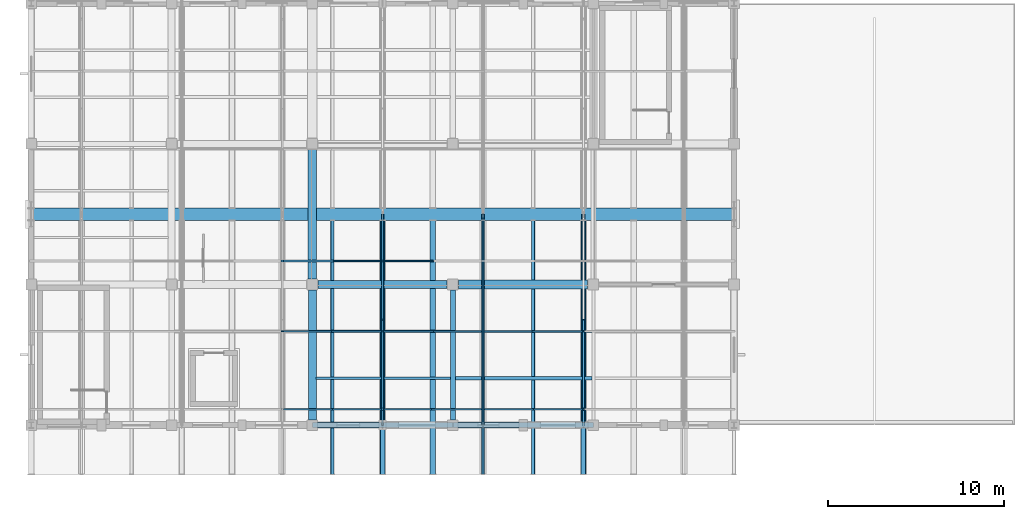
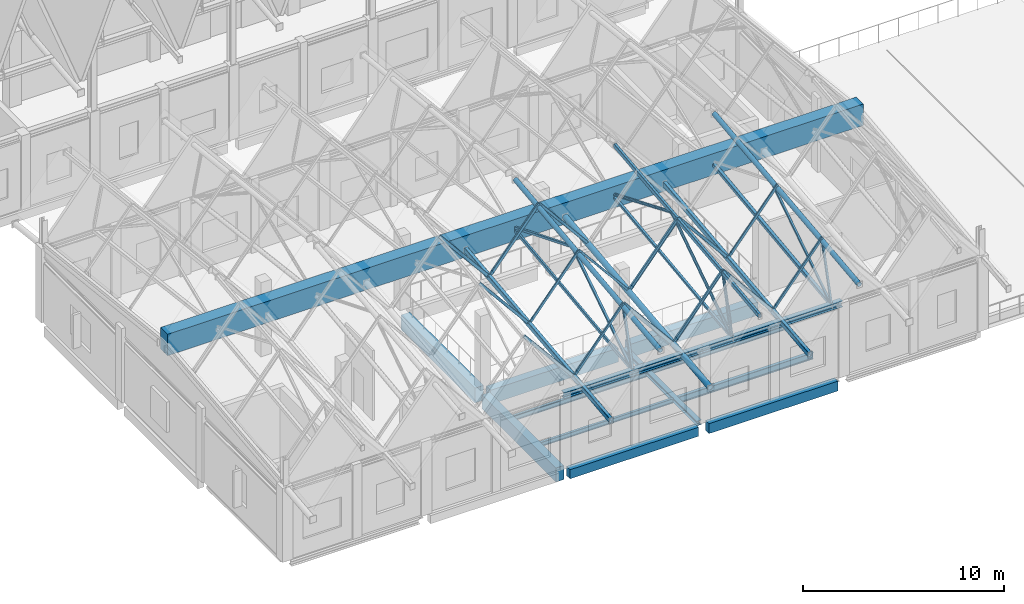
# One storey, part 10 of 77: 26 members, 20 beams.
"""IFC4 building model written with IfcOpenShell, lengths in metres."""

from ifc_helpers import new_model, si_unit, direction, frame, origin, origin_2d, place, context, subcontext, project, spatial, rectangle, hollow_rectangle, hollow_circle, i_section, extrude, material, material_profile, profile_set, type_object, element, save


model = new_model("IFC4")

# Units and contexts
model_context = context("Model", 3, precision=1e-05, world=origin(), true_north=direction((0.0, 1.0)))
body_context = subcontext(model_context, "Body", "Model", "MODEL_VIEW")
ifc_project = project(units=[si_unit("LENGTHUNIT", "METRE"), si_unit("AREAUNIT", "SQUARE_METRE"), si_unit("VOLUMEUNIT", "CUBIC_METRE"), si_unit("PLANEANGLEUNIT", "RADIAN"), si_unit("MASSUNIT", "GRAM", prefix="KILO")], contexts=[model_context])

# Site, building, storey
site_placement = place(None, origin())
site = spatial("IfcSite", under=ifc_project, at=site_placement, CompositionType="ELEMENT")
building_placement = place(site_placement, origin())
building = spatial("IfcBuilding", under=site, at=building_placement, Name="Luwemba Playhouse", CompositionType="ELEMENT")
storey_placement = place(building_placement, frame((0.0, 0.0, 9.300048828125)))
storey = spatial("IfcBuildingStorey", under=building, at=storey_placement, Name="L02", CompositionType="ELEMENT", Elevation=9.300048828125)

# Beams
ifc_material_1 = material(Name="Concrete C40/50", Category="concrete")
ifc_material_profile_1 = material_profile(ifc_material_1, rectangle(XDim=0.449951171875, YDim=0.85009765625, at=origin_2d()))
ifc_profile_set_1 = profile_set([ifc_material_profile_1], Name="Concrete C40/50")
beam_type_1 = type_object("IfcBeamType", Name="BM-RB05", PredefinedType="BEAM", material=ifc_profile_set_1)
beam_1_placement = place(storey_placement, frame((20.324951171875, 11.0, -0.675048828125), z_axis=(1.0, 0.0, 0.0), x_axis=(0.0, 1.0, 0.0)))
element("IfcBeam", 1, at=beam_1_placement, inside=storey, type_object=beam_type_1, Name="L02 grid girder 0766", PredefinedType="BEAM", context=body_context, shape_type="SweptSolid", body=[
    extrude(rectangle(XDim=0.449951171875, YDim=0.85009765625, at=origin_2d()), origin(), (0.0, 0.0, 1.0), 7.35009765625),
])
beam_2_placement = place(storey_placement, frame((20.0, 3.300048828125, -0.675048828125), z_axis=(0.0, 1.0, 0.0), x_axis=(-1.0, 0.0, 0.0)))
element("IfcBeam", 2, at=beam_2_placement, inside=storey, type_object=beam_type_1, Name="L02 transverse girder 0785", PredefinedType="BEAM", context=body_context, shape_type="SweptSolid", body=[
    extrude(rectangle(XDim=0.449951171875, YDim=0.85009765625, at=origin_2d()), origin(), (0.0, 0.0, 1.0), 7.375),
])
ifc_material_profile_2 = material_profile(ifc_material_1, rectangle(XDim=0.5, YDim=0.800048828125, at=origin_2d()))
ifc_profile_set_2 = profile_set([ifc_material_profile_2], Name="Concrete C40/50")
beam_type_2 = type_object("IfcBeamType", Name="BM-RB06", PredefinedType="BEAM", material=ifc_profile_set_2)
beam_3_placement = place(storey_placement, frame((28.324951171875, 11.0, -0.650146484375), z_axis=(1.0, 0.0, 0.0), x_axis=(0.0, 1.0, 0.0)))
element("IfcBeam", 3, at=beam_3_placement, inside=storey, type_object=beam_type_2, Name="L02 grid girder 0767", PredefinedType="BEAM", context=body_context, shape_type="SweptSolid", body=[
    extrude(rectangle(XDim=0.5, YDim=0.800048828125, at=origin_2d()), origin(), (0.0, 0.0, 1.0), 7.35009765625),
])
ifc_material_profile_3 = material_profile(ifc_material_1, rectangle(XDim=0.5, YDim=0.89990234375, at=origin_2d()))
ifc_profile_set_3 = profile_set([ifc_material_profile_3], Name="Concrete C40/50")
beam_type_3 = type_object("IfcBeamType", Name="BM-RB07", PredefinedType="BEAM", material=ifc_profile_set_3)
beam_4_placement = place(storey_placement, frame((20.0, 11.324951171875, -0.699951171875), z_axis=(0.0, 1.0, 0.0), x_axis=(-1.0, 0.0, 0.0)))
element("IfcBeam", 4, at=beam_4_placement, inside=storey, type_object=beam_type_3, Name="L02 transverse girder 0786", PredefinedType="BEAM", context=body_context, shape_type="SweptSolid", body=[
    extrude(rectangle(XDim=0.5, YDim=0.89990234375, at=origin_2d()), origin(), (0.0, 0.0, 1.0), 7.35009765625),
])
ifc_material_profile_4 = material_profile(ifc_material_1, rectangle(XDim=0.699951171875, YDim=1.300048828125, at=origin_2d()))
ifc_profile_set_4 = profile_set([ifc_material_profile_4], Name="Concrete C40/50")
beam_type_4 = type_object("IfcBeamType", Name="BM-RB12", PredefinedType="BEAM", material=ifc_profile_set_4)
beam_5_placement = place(storey_placement, frame((4.0, 15.0, 5.865966796875), z_axis=(1.0, 0.0, 0.0), x_axis=(0.0, 1.0, 0.0)))
element("IfcBeam", 5, at=beam_5_placement, inside=storey, type_object=beam_type_4, Name="RF-V5W central ridge spine girder 0260", PredefinedType="BEAM", context=body_context, shape_type="SweptSolid", body=[
    extrude(rectangle(XDim=0.699951171875, YDim=1.300048828125, at=origin_2d()), origin(), (0.0, 0.0, 1.0), 40.0),
])
ifc_material_2 = material(Name="Steel S355", Category="steel")
ifc_material_profile_5 = material_profile(ifc_material_2, hollow_rectangle(XDim=0.14990234375, YDim=0.25, WallThickness=0.010009765625, InnerFilletRadius=0.014892578125, OuterFilletRadius=0.02490234375, at=origin_2d()))
ifc_profile_set_5 = profile_set([ifc_material_profile_5], Name="Steel S355")
beam_type_5 = type_object("IfcBeamType", Name="BM-RTG1", PredefinedType="USERDEFINED", material=ifc_profile_set_5)
beam_6_placement = place(storey_placement, frame((29.71435546875, 0.199951171875, 7.391357421875), z_axis=(0.0, 0.993769566516, 0.111454244725), x_axis=(-1.0, 0.0, 0.0)))
element("IfcBeam", 6, at=beam_6_placement, inside=storey, type_object=beam_type_5, Name="ROOF TRUSS ridge girder 0279", ObjectType="ROOF TRUSS", PredefinedType="USERDEFINED", context=body_context, shape_type="SweptSolid", body=[
    extrude(hollow_rectangle(XDim=0.14990234375, YDim=0.25, WallThickness=0.010009765625, InnerFilletRadius=0.014892578125, OuterFilletRadius=0.02490234375, at=origin_2d()), origin(), (0.0, 0.0, 1.0), 14.54052734375),
])
ifc_material_profile_6 = material_profile(ifc_material_2, hollow_rectangle(XDim=0.199951171875, YDim=0.300048828125, WallThickness=0.012451171875, InnerFilletRadius=0.018798828125, OuterFilletRadius=0.03125, at=origin_2d()))
ifc_profile_set_6 = profile_set([ifc_material_profile_6], Name="Steel S355")
beam_type_6 = type_object("IfcBeamType", Name="BM-RTG2", PredefinedType="USERDEFINED", material=ifc_profile_set_6)
for number, where, z_axis, x_axis, name in (
    (7, (21.142822265625, 0.199951171875, 4.061279296875), (0.0, 0.993767706686, 0.111470826443), (-1.0, 0.0, 0.0), "ROOF TRUSS valley girder 0273"),
    (8, (32.5712890625, 0.199951171875, 4.061279296875), (0.0, 0.993767706686, 0.111470826443), (-1.0, 0.0, 0.0), "ROOF TRUSS valley girder 0281"),
):
    element("IfcBeam", number, at=place(storey_placement, frame(where, z_axis=z_axis, x_axis=x_axis)), inside=storey, type_object=beam_type_6, Name=name, ObjectType="ROOF TRUSS", PredefinedType="USERDEFINED", context=body_context, shape_type="SweptSolid", body=[
        extrude(hollow_rectangle(XDim=0.199951171875, YDim=0.300048828125, WallThickness=0.012451171875, InnerFilletRadius=0.018798828125, OuterFilletRadius=0.03125, at=origin_2d()), origin(), (0.0, 0.0, 1.0), 14.54052734375),
    ])
ifc_material_profile_7 = material_profile(ifc_material_2, hollow_circle(Radius=0.136474609375, WallThickness=0.012451171875, at=origin_2d()))
ifc_profile_set_7 = profile_set([ifc_material_profile_7], Name="Steel S355")
beam_type_7 = type_object("IfcBeamType", Name="BM-RTG3", PredefinedType="USERDEFINED", material=ifc_profile_set_7)
for number, where, z_axis, x_axis, name in (
    (9, (24.0, 0.199951171875, 7.305419921875), (0.0, 0.993767706686, 0.111470826443), (-1.0, 0.0, 0.0), "ROOF TRUSS ridge girder 0275"),
    (10, (35.4287109375, 0.199951171875, 7.305419921875), (0.0, 0.993767706686, 0.111470826443), (-1.0, 0.0, 0.0), "ROOF TRUSS ridge girder 0283"),
):
    element("IfcBeam", number, at=place(storey_placement, frame(where, z_axis=z_axis, x_axis=x_axis)), inside=storey, type_object=beam_type_7, Name=name, ObjectType="ROOF TRUSS", PredefinedType="USERDEFINED", context=body_context, shape_type="SweptSolid", body=[
        extrude(hollow_circle(Radius=0.136474609375, WallThickness=0.012451171875, at=origin_2d()), origin(), (0.0, 0.0, 1.0), 14.54052734375),
    ])
ifc_material_profile_8 = material_profile(ifc_material_2, hollow_circle(Radius=0.161865234375, WallThickness=0.01611328125, at=origin_2d()))
ifc_profile_set_8 = profile_set([ifc_material_profile_8], Name="Steel S355")
beam_type_8 = type_object("IfcBeamType", Name="BM-RTG4", PredefinedType="USERDEFINED", material=ifc_profile_set_8)
beam_7_placement = place(storey_placement, frame((26.857177734375, 0.199951171875, 4.04931640625), z_axis=(0.0, 0.993767706686, 0.111470826443), x_axis=(-1.0, 0.0, 0.0)))
element("IfcBeam", 11, at=beam_7_placement, inside=storey, type_object=beam_type_8, Name="ROOF TRUSS valley girder 0277", ObjectType="ROOF TRUSS", PredefinedType="USERDEFINED", context=body_context, shape_type="SweptSolid", body=[
    extrude(hollow_circle(Radius=0.161865234375, WallThickness=0.01611328125, at=origin_2d()), origin(), (0.0, 0.0, 1.0), 14.54052734375),
])
ifc_material_profile_9 = material_profile(ifc_material_2, i_section(OverallWidth=0.280029296875, OverallDepth=0.27001953125, WebThickness=0.008056640625, FlangeThickness=0.012939453125, FilletRadius=0.02392578125, at=origin_2d()))
ifc_profile_set_9 = profile_set([ifc_material_profile_9], Name="Steel S355")
beam_type_9 = type_object("IfcBeamType", Name="BM-SB02", PredefinedType="BEAM", material=ifc_profile_set_9)
beam_8_placement = place(storey_placement, frame((28.0, 3.300048828125, -0.385009765625), z_axis=(0.0, 1.0, 0.0), x_axis=(-1.0, 0.0, 0.0)))
element("IfcBeam", 12, at=beam_8_placement, inside=storey, type_object=beam_type_9, Name="L02 transverse girder 0788", PredefinedType="BEAM", context=body_context, shape_type="SweptSolid", body=[
    extrude(i_section(OverallWidth=0.280029296875, OverallDepth=0.27001953125, WebThickness=0.008056640625, FlangeThickness=0.012939453125, FilletRadius=0.02392578125, at=origin_2d()), origin(), (0.0, 0.0, 1.0), 7.375),
])
ifc_material_profile_10 = material_profile(ifc_material_2, i_section(OverallWidth=0.300048828125, OverallDepth=0.360107421875, WebThickness=0.012451171875, FlangeThickness=0.0224609375, FilletRadius=0.027099609375, at=origin_2d()))
ifc_profile_set_10 = profile_set([ifc_material_profile_10], Name="Steel S355")
beam_type_10 = type_object("IfcBeamType", Name="BM-SB09", PredefinedType="BEAM", material=ifc_profile_set_10)
for number, where, z_axis, x_axis, name in (
    (13, (20.0, 3.0, 4.320068359375), (1.0, 0.0, 0.0), (0.0, 1.0, 0.0), "RF-V5W eave ring beam 0244"),
    (14, (28.0, 3.0, 4.320068359375), (1.0, 0.0, 0.0), (0.0, 1.0, 0.0), "RF-V5W eave ring beam 0245"),
):
    element("IfcBeam", number, at=place(storey_placement, frame(where, z_axis=z_axis, x_axis=x_axis)), inside=storey, type_object=beam_type_10, Name=name, PredefinedType="BEAM", context=body_context, shape_type="SweptSolid", body=[
        extrude(i_section(OverallWidth=0.300048828125, OverallDepth=0.360107421875, WebThickness=0.012451171875, FlangeThickness=0.0224609375, FilletRadius=0.027099609375, at=origin_2d()), origin(), (0.0, 0.0, 1.0), 8.0),
    ])
ifc_material_profile_11 = material_profile(ifc_material_2, i_section(OverallWidth=0.1201171875, OverallDepth=0.239990234375, WebThickness=0.006103515625, FlangeThickness=0.009765625, FilletRadius=0.014892578125, at=origin_2d()))
ifc_profile_set_11 = profile_set([ifc_material_profile_11], Name="Steel S355")
beam_type_11 = type_object("IfcBeamType", Name="BM-SJ03", PredefinedType="JOIST", material=ifc_profile_set_11)
beam_9_placement = place(storey_placement, frame((28.135986328125, 8.333251953125, -0.3701171875), z_axis=(1.0, 0.0, 0.0), x_axis=(0.0, 1.0, 0.0)))
element("IfcBeam", 15, at=beam_9_placement, inside=storey, type_object=beam_type_11, Name="L02 composite floor joist 0459", PredefinedType="JOIST", context=body_context, shape_type="SweptSolid", body=[
    extrude(i_section(OverallWidth=0.1201171875, OverallDepth=0.239990234375, WebThickness=0.006103515625, FlangeThickness=0.009765625, FilletRadius=0.014892578125, at=origin_2d()), origin(), (0.0, 0.0, 1.0), 7.77294921875),
])
ifc_material_profile_12 = material_profile(ifc_material_2, i_section(OverallWidth=0.135009765625, OverallDepth=0.27001953125, WebThickness=0.006591796875, FlangeThickness=0.01025390625, FilletRadius=0.014892578125, at=origin_2d()))
ifc_profile_set_12 = profile_set([ifc_material_profile_12], Name="Steel S355")
beam_type_12 = type_object("IfcBeamType", Name="BM-SJ04", PredefinedType="JOIST", material=ifc_profile_set_12)
beam_10_placement = place(storey_placement, frame((20.220947265625, 5.666748046875, -0.385009765625), z_axis=(1.0, 0.0, 0.0), x_axis=(0.0, 1.0, 0.0)))
element("IfcBeam", 16, at=beam_10_placement, inside=storey, type_object=beam_type_12, Name="L02 composite floor joist 0454", PredefinedType="JOIST", context=body_context, shape_type="SweptSolid", body=[
    extrude(i_section(OverallWidth=0.135009765625, OverallDepth=0.27001953125, WebThickness=0.006591796875, FlangeThickness=0.01025390625, FilletRadius=0.014892578125, at=origin_2d()), origin(), (0.0, 0.0, 1.0), 7.64306640625),
])
ifc_material_profile_13 = material_profile(ifc_material_2, i_section(OverallWidth=0.14990234375, OverallDepth=0.300048828125, WebThickness=0.007080078125, FlangeThickness=0.0107421875, FilletRadius=0.014892578125, at=origin_2d()))
ifc_profile_set_13 = profile_set([ifc_material_profile_13], Name="Steel S355")
beam_type_13 = type_object("IfcBeamType", Name="BM-SJ05", PredefinedType="JOIST", material=ifc_profile_set_13)
beam_11_placement = place(storey_placement, frame((20.220947265625, 8.333251953125, -0.400146484375), z_axis=(1.0, 0.0, 0.0), x_axis=(0.0, 1.0, 0.0)))
element("IfcBeam", 17, at=beam_11_placement, inside=storey, type_object=beam_type_13, Name="L02 composite floor joist 0455", PredefinedType="JOIST", context=body_context, shape_type="SweptSolid", body=[
    extrude(i_section(OverallWidth=0.14990234375, OverallDepth=0.300048828125, WebThickness=0.007080078125, FlangeThickness=0.0107421875, FilletRadius=0.014892578125, at=origin_2d()), origin(), (0.0, 0.0, 1.0), 7.64306640625),
])
ifc_material_profile_14 = material_profile(ifc_material_2, i_section(OverallWidth=0.179931640625, OverallDepth=0.39990234375, WebThickness=0.008544921875, FlangeThickness=0.013427734375, FilletRadius=0.02099609375, at=origin_2d()))
ifc_profile_set_14 = profile_set([ifc_material_profile_14], Name="Steel S355")
beam_type_14 = type_object("IfcBeamType", Name="BM-SJ08", PredefinedType="JOIST", material=ifc_profile_set_14)
beam_12_placement = place(storey_placement, frame((28.135986328125, 5.666748046875, -0.449951171875), z_axis=(1.0, 0.0, 0.0), x_axis=(0.0, 1.0, 0.0)))
element("IfcBeam", 18, at=beam_12_placement, inside=storey, type_object=beam_type_14, Name="L02 composite floor joist 0458", PredefinedType="JOIST", context=body_context, shape_type="SweptSolid", body=[
    extrude(i_section(OverallWidth=0.179931640625, OverallDepth=0.39990234375, WebThickness=0.008544921875, FlangeThickness=0.013427734375, FilletRadius=0.02099609375, at=origin_2d()), origin(), (0.0, 0.0, 1.0), 7.77294921875),
])
ifc_material_profile_15 = material_profile(ifc_material_1, rectangle(XDim=0.35009765625, YDim=0.550048828125, at=origin_2d()))
ifc_profile_set_15 = profile_set([ifc_material_profile_15], Name="Concrete C40/50")
beam_type_15 = type_object("IfcBeamType", Name="BM-SP2", PredefinedType="SPANDREL", material=ifc_profile_set_15)
beam_13_placement = place(storey_placement, frame((20.300048828125, 3.0, -0.525146484375), z_axis=(1.0, 0.0, 0.0), x_axis=(0.0, 1.0, 0.0)))
element("IfcBeam", 19, at=beam_13_placement, inside=storey, type_object=beam_type_15, Name="L02 grid girder 0761", PredefinedType="SPANDREL", context=body_context, shape_type="SweptSolid", body=[
    extrude(rectangle(XDim=0.35009765625, YDim=0.550048828125, at=origin_2d()), origin(), (0.0, 0.0, 1.0), 7.39990234375),
])
ifc_material_profile_16 = material_profile(ifc_material_1, rectangle(XDim=0.35009765625, YDim=0.60009765625, at=origin_2d()))
ifc_profile_set_16 = profile_set([ifc_material_profile_16], Name="Concrete C40/50")
beam_type_16 = type_object("IfcBeamType", Name="BM-SP3", PredefinedType="SPANDREL", material=ifc_profile_set_16)
beam_14_placement = place(storey_placement, frame((28.300048828125, 3.0, -0.550048828125), z_axis=(1.0, 0.0, 0.0), x_axis=(0.0, 1.0, 0.0)))
element("IfcBeam", 20, at=beam_14_placement, inside=storey, type_object=beam_type_16, Name="L02 grid girder 0762", PredefinedType="SPANDREL", context=body_context, shape_type="SweptSolid", body=[
    extrude(rectangle(XDim=0.35009765625, YDim=0.60009765625, at=origin_2d()), origin(), (0.0, 0.0, 1.0), 7.39990234375),
])

# Members
ifc_material_profile_17 = material_profile(ifc_material_2, hollow_circle(Radius=0.084228515625, WallThickness=0.008056640625, at=origin_2d()))
ifc_profile_set_17 = profile_set([ifc_material_profile_17], Name="Steel S355")
member_type_1 = type_object("IfcMemberType", Name="MEM-MB02", PredefinedType="BRACE", material=ifc_profile_set_17)
member_1_placement = place(storey_placement, frame((29.71435546875, 3.0, 4.39990234375), z_axis=(0.0, 0.833425084447, 0.552632453457), x_axis=(-1.0, 0.0, 0.0)))
element("IfcMember", 21, at=member_1_placement, inside=storey, type_object=member_type_1, Name="ROOF TRUSS web diagonal 0249", PredefinedType="BRACE", context=body_context, shape_type="SweptSolid", body=[
    extrude(hollow_circle(Radius=0.084228515625, WallThickness=0.008056640625, at=origin_2d()), origin(), (0.0, 0.0, 1.0), 7.19921875),
])
member_2_placement = place(storey_placement, frame((29.71435546875, 15.0, 5.865966796875), z_axis=(0.0, -0.922395901699, 0.38624577736), x_axis=(1.0, 0.0, 0.0)))
element("IfcMember", 22, at=member_2_placement, inside=storey, type_object=member_type_1, Name="ROOF TRUSS web diagonal 0250", PredefinedType="BRACE", context=body_context, shape_type="SweptSolid", body=[
    extrude(hollow_circle(Radius=0.084228515625, WallThickness=0.008056640625, at=origin_2d()), origin(), (0.0, 0.0, 1.0), 6.5048828125),
])
member_3_placement = place(storey_placement, frame((29.71435546875, 3.0, 4.39990234375), z_axis=(0.0, 0.255427788816, 0.966828136072), x_axis=(-1.0, 0.0, 0.0)))
element("IfcMember", 23, at=member_3_placement, inside=storey, type_object=member_type_1, Name="ROOF TRUSS eave knee strut 0066", PredefinedType="BRACE", context=body_context, shape_type="SweptSolid", body=[
    extrude(hollow_circle(Radius=0.084228515625, WallThickness=0.008056640625, at=origin_2d()), origin(), (0.0, 0.0, 1.0), 3.523193359375),
])
ifc_material_profile_18 = material_profile(ifc_material_2, hollow_rectangle(XDim=0.1201171875, YDim=0.1201171875, WallThickness=0.008056640625, InnerFilletRadius=0.011962890625, OuterFilletRadius=0.02001953125, at=origin_2d()))
ifc_profile_set_18 = profile_set([ifc_material_profile_18], Name="Steel S355")
member_type_2 = type_object("IfcMemberType", Name="MEM-MB06", PredefinedType="BRACE", material=ifc_profile_set_18)
member_4_placement = place(storey_placement, frame((35.4287109375, 3.0, 4.39990234375), z_axis=(0.0, 0.838917478368, 0.544258637496), x_axis=(-1.0, 0.0, 0.0)))
element("IfcMember", 24, at=member_4_placement, inside=storey, type_object=member_type_2, Name="ROOF TRUSS web diagonal 0255", PredefinedType="BRACE", context=body_context, shape_type="SweptSolid", body=[
    extrude(hollow_rectangle(XDim=0.1201171875, YDim=0.1201171875, WallThickness=0.008056640625, InnerFilletRadius=0.011962890625, OuterFilletRadius=0.02001953125, at=origin_2d()), origin(), (0.0, 0.0, 1.0), 7.152099609375),
])
member_5_placement = place(storey_placement, frame((35.4287109375, 3.0, 4.39990234375), z_axis=(0.0, 0.261573871776, 0.96518345904), x_axis=(-1.0, 0.0, 0.0)))
element("IfcMember", 25, at=member_5_placement, inside=storey, type_object=member_type_2, Name="ROOF TRUSS eave knee strut 0068", PredefinedType="BRACE", context=body_context, shape_type="SweptSolid", body=[
    extrude(hollow_rectangle(XDim=0.1201171875, YDim=0.1201171875, WallThickness=0.008056640625, InnerFilletRadius=0.011962890625, OuterFilletRadius=0.02001953125, at=origin_2d()), origin(), (0.0, 0.0, 1.0), 3.4404296875),
])
ifc_material_profile_19 = material_profile(ifc_material_2, hollow_rectangle(XDim=0.139892578125, YDim=0.139892578125, WallThickness=0.008056640625, InnerFilletRadius=0.011962890625, OuterFilletRadius=0.02001953125, at=origin_2d()))
ifc_profile_set_19 = profile_set([ifc_material_profile_19], Name="Steel S355")
member_type_3 = type_object("IfcMemberType", Name="MEM-MB07", PredefinedType="BRACE", material=ifc_profile_set_19)
member_6_placement = place(storey_placement, frame((24.0, 3.0, 4.39990234375), z_axis=(0.0, 0.838917478368, 0.544258637496), x_axis=(-1.0, 0.0, 0.0)))
element("IfcMember", 26, at=member_6_placement, inside=storey, type_object=member_type_3, Name="ROOF TRUSS web diagonal 0243", PredefinedType="BRACE", context=body_context, shape_type="SweptSolid", body=[
    extrude(hollow_rectangle(XDim=0.139892578125, YDim=0.139892578125, WallThickness=0.008056640625, InnerFilletRadius=0.011962890625, OuterFilletRadius=0.02001953125, at=origin_2d()), origin(), (0.0, 0.0, 1.0), 7.152099609375),
])
member_7_placement = place(storey_placement, frame((24.0, 15.0, 5.865966796875), z_axis=(0.0, -0.927057348397, 0.374919555083), x_axis=(1.0, 0.0, 0.0)))
element("IfcMember", 27, at=member_7_placement, inside=storey, type_object=member_type_3, Name="ROOF TRUSS web diagonal 0244", PredefinedType="BRACE", context=body_context, shape_type="SweptSolid", body=[
    extrude(hollow_rectangle(XDim=0.139892578125, YDim=0.139892578125, WallThickness=0.008056640625, InnerFilletRadius=0.011962890625, OuterFilletRadius=0.02001953125, at=origin_2d()), origin(), (0.0, 0.0, 1.0), 6.47216796875),
])
member_8_placement = place(storey_placement, frame((24.0, 3.0, 4.39990234375), z_axis=(0.0, 0.261573871776, 0.96518345904), x_axis=(-1.0, 0.0, 0.0)))
element("IfcMember", 28, at=member_8_placement, inside=storey, type_object=member_type_3, Name="ROOF TRUSS eave knee strut 0064", PredefinedType="BRACE", context=body_context, shape_type="SweptSolid", body=[
    extrude(hollow_rectangle(XDim=0.139892578125, YDim=0.139892578125, WallThickness=0.008056640625, InnerFilletRadius=0.011962890625, OuterFilletRadius=0.02001953125, at=origin_2d()), origin(), (0.0, 0.0, 1.0), 3.4404296875),
])
ifc_material_profile_20 = material_profile(ifc_material_2, hollow_rectangle(XDim=0.14990234375, YDim=0.14990234375, WallThickness=0.010009765625, InnerFilletRadius=0.014892578125, OuterFilletRadius=0.02490234375, at=origin_2d()))
ifc_profile_set_20 = profile_set([ifc_material_profile_20], Name="Steel S355")
member_type_4 = type_object("IfcMemberType", Name="MEM-MC02", PredefinedType="CHORD", material=ifc_profile_set_20)
member_9_placement = place(storey_placement, frame((29.71435546875, 3.0, 4.39990234375), z_axis=(0.0, 0.99261951546, 0.121270348924), x_axis=(-1.0, 0.0, 0.0)))
element("IfcMember", 29, at=member_9_placement, inside=storey, type_object=member_type_4, Name="ROOF TRUSS south bottom chord 0247", PredefinedType="CHORD", context=body_context, shape_type="SweptSolid", body=[
    extrude(hollow_rectangle(XDim=0.14990234375, YDim=0.14990234375, WallThickness=0.010009765625, InnerFilletRadius=0.014892578125, OuterFilletRadius=0.02490234375, at=origin_2d()), origin(), (0.0, 0.0, 1.0), 12.089111328125),
])
ifc_material_profile_21 = material_profile(ifc_material_2, hollow_rectangle(XDim=0.199951171875, YDim=0.199951171875, WallThickness=0.012451171875, InnerFilletRadius=0.018798828125, OuterFilletRadius=0.03125, at=origin_2d()))
ifc_profile_set_21 = profile_set([ifc_material_profile_21], Name="Steel S355")
member_type_5 = type_object("IfcMemberType", Name="MEM-MC04", PredefinedType="CHORD", material=ifc_profile_set_21)
member_10_placement = place(storey_placement, frame((35.4287109375, 3.0, 4.39990234375), z_axis=(0.0, 0.99261951546, 0.121270348924), x_axis=(-1.0, 0.0, 0.0)))
element("IfcMember", 30, at=member_10_placement, inside=storey, type_object=member_type_5, Name="ROOF TRUSS south bottom chord 0253", PredefinedType="CHORD", context=body_context, shape_type="SweptSolid", body=[
    extrude(hollow_rectangle(XDim=0.199951171875, YDim=0.199951171875, WallThickness=0.012451171875, InnerFilletRadius=0.018798828125, OuterFilletRadius=0.03125, at=origin_2d()), origin(), (0.0, 0.0, 1.0), 12.089111328125),
])
ifc_material_profile_22 = material_profile(ifc_material_2, hollow_rectangle(XDim=0.1201171875, YDim=0.199951171875, WallThickness=0.010009765625, InnerFilletRadius=0.014892578125, OuterFilletRadius=0.02490234375, at=origin_2d()))
ifc_profile_set_22 = profile_set([ifc_material_profile_22], Name="Steel S355")
member_type_6 = type_object("IfcMemberType", Name="MEM-MC05", PredefinedType="CHORD", material=ifc_profile_set_22)
member_11_placement = place(storey_placement, frame((24.0, 3.0, 4.39990234375), z_axis=(0.0, 0.99261951546, 0.121270348924), x_axis=(-1.0, 0.0, 0.0)))
element("IfcMember", 31, at=member_11_placement, inside=storey, type_object=member_type_6, Name="ROOF TRUSS south bottom chord 0241", PredefinedType="CHORD", context=body_context, shape_type="SweptSolid", body=[
    extrude(hollow_rectangle(XDim=0.1201171875, YDim=0.199951171875, WallThickness=0.010009765625, InnerFilletRadius=0.014892578125, OuterFilletRadius=0.02490234375, at=origin_2d()), origin(), (0.0, 0.0, 1.0), 12.089111328125),
])
ifc_material_profile_23 = material_profile(ifc_material_2, hollow_rectangle(XDim=0.080078125, YDim=0.1201171875, WallThickness=0.00634765625, InnerFilletRadius=0.009521484375, OuterFilletRadius=0.015869140625, at=origin_2d()))
ifc_profile_set_23 = profile_set([ifc_material_profile_23], Name="Steel S355")
member_type_7 = type_object("IfcMemberType", Name="MEM-MP01", PredefinedType="PURLIN", material=ifc_profile_set_23)
member_12_placement = place(storey_placement, frame((24.0, 8.340087890625, 8.474853515625), z_axis=(0.637410530898, 0.0, -0.770524376708), x_axis=(0.0, 1.0, 0.0)))
element("IfcMember", 32, at=member_12_placement, inside=storey, type_object=member_type_7, Name="Pleated roof purlin 0488", PredefinedType="PURLIN", context=body_context, shape_type="SweptSolid", body=[
    extrude(hollow_rectangle(XDim=0.080078125, YDim=0.1201171875, WallThickness=0.00634765625, InnerFilletRadius=0.009521484375, OuterFilletRadius=0.015869140625, at=origin_2d()), origin(), (0.0, 0.0, 1.0), 4.482421875),
])
ifc_material_profile_24 = material_profile(ifc_material_2, hollow_rectangle(XDim=0.10009765625, YDim=0.14990234375, WallThickness=0.008056640625, InnerFilletRadius=0.011962890625, OuterFilletRadius=0.02001953125, at=origin_2d()))
ifc_profile_set_24 = profile_set([ifc_material_profile_24], Name="Steel S355")
member_type_8 = type_object("IfcMemberType", Name="MEM-MP02", PredefinedType="PURLIN", material=ifc_profile_set_24)
for number, where, z_axis, x_axis, name in (
    (33, (21.142822265625, 3.89990234375, 4.495849609375), (0.637383781398, 0.0, 0.770546504249), (0.0, 1.0, 0.0), "Pleated roof purlin 0481"),
    (34, (24.0, 12.3359375, 8.896240234375), (0.637383781398, 0.0, -0.770546504249), (0.0, 1.0, 0.0), "Pleated roof purlin 0489"),
):
    element("IfcMember", number, at=place(storey_placement, frame(where, z_axis=z_axis, x_axis=x_axis)), inside=storey, type_object=member_type_8, Name=name, PredefinedType="PURLIN", context=body_context, shape_type="SweptSolid", body=[
        extrude(hollow_rectangle(XDim=0.10009765625, YDim=0.14990234375, WallThickness=0.008056640625, InnerFilletRadius=0.011962890625, OuterFilletRadius=0.02001953125, at=origin_2d()), origin(), (0.0, 0.0, 1.0), 4.482666015625),
    ])
member_13_placement = place(storey_placement, frame((32.5712890625, 3.89990234375, 4.495849609375), z_axis=(0.637416116848, 0.0, 0.770519755738), x_axis=(0.0, 1.0, 0.0)))
element("IfcMember", 35, at=member_13_placement, inside=storey, type_object=member_type_8, Name="Pleated roof purlin 0505", PredefinedType="PURLIN", context=body_context, shape_type="SweptSolid", body=[
    extrude(hollow_rectangle(XDim=0.10009765625, YDim=0.14990234375, WallThickness=0.008056640625, InnerFilletRadius=0.011962890625, OuterFilletRadius=0.02001953125, at=origin_2d()), origin(), (0.0, 0.0, 1.0), 4.48291015625),
])
ifc_material_profile_25 = material_profile(ifc_material_2, hollow_rectangle(XDim=0.080078125, YDim=0.159912109375, WallThickness=0.00634765625, InnerFilletRadius=0.009521484375, OuterFilletRadius=0.015869140625, at=origin_2d()))
ifc_profile_set_25 = profile_set([ifc_material_profile_25], Name="Steel S355")
member_type_9 = type_object("IfcMemberType", Name="MEM-MP03", PredefinedType="PURLIN", material=ifc_profile_set_25)
member_14_placement = place(storey_placement, frame((21.142822265625, 8.340087890625, 5.0009765625), z_axis=(0.637410530898, 0.0, 0.770524376708), x_axis=(0.0, 1.0, 0.0)))
element("IfcMember", 36, at=member_14_placement, inside=storey, type_object=member_type_9, Name="Pleated roof purlin 0482", PredefinedType="PURLIN", context=body_context, shape_type="SweptSolid", body=[
    extrude(hollow_rectangle(XDim=0.080078125, YDim=0.159912109375, WallThickness=0.00634765625, InnerFilletRadius=0.009521484375, OuterFilletRadius=0.015869140625, at=origin_2d()), origin(), (0.0, 0.0, 1.0), 4.482421875),
])
member_15_placement = place(storey_placement, frame((32.5712890625, 8.340087890625, 5.0009765625), z_axis=(0.637416116848, 0.0, 0.770519755738), x_axis=(0.0, 1.0, 0.0)))
element("IfcMember", 37, at=member_15_placement, inside=storey, type_object=member_type_9, Name="Pleated roof purlin 0506", PredefinedType="PURLIN", context=body_context, shape_type="SweptSolid", body=[
    extrude(hollow_rectangle(XDim=0.080078125, YDim=0.159912109375, WallThickness=0.00634765625, InnerFilletRadius=0.009521484375, OuterFilletRadius=0.015869140625, at=origin_2d()), origin(), (0.0, 0.0, 1.0), 4.48291015625),
])
ifc_material_profile_26 = material_profile(ifc_material_2, hollow_rectangle(XDim=0.10009765625, YDim=0.179931640625, WallThickness=0.008056640625, InnerFilletRadius=0.011962890625, OuterFilletRadius=0.02001953125, at=origin_2d()))
ifc_profile_set_26 = profile_set([ifc_material_profile_26], Name="Steel S355")
member_type_10 = type_object("IfcMemberType", Name="MEM-MP04", PredefinedType="PURLIN", material=ifc_profile_set_26)
for number, where, z_axis, x_axis, name in (
    (38, (18.28564453125, 3.89990234375, 7.934814453125), (0.637410530898, 0.0, -0.770524376708), (0.0, 1.0, 0.0), "Pleated roof purlin 0475"),
    (39, (21.142822265625, 12.3359375, 5.42724609375), (0.637410530898, 0.0, 0.770524376708), (0.0, 1.0, 0.0), "Pleated roof purlin 0483"),
    (40, (29.71435546875, 3.89990234375, 7.934814453125), (0.637378192581, 0.0, -0.770551127196), (0.0, 1.0, 0.0), "Pleated roof purlin 0499"),
):
    element("IfcMember", number, at=place(storey_placement, frame(where, z_axis=z_axis, x_axis=x_axis)), inside=storey, type_object=member_type_10, Name=name, PredefinedType="PURLIN", context=body_context, shape_type="SweptSolid", body=[
        extrude(hollow_rectangle(XDim=0.10009765625, YDim=0.179931640625, WallThickness=0.008056640625, InnerFilletRadius=0.011962890625, OuterFilletRadius=0.02001953125, at=origin_2d()), origin(), (0.0, 0.0, 1.0), 4.482421875),
    ])
ifc_material_profile_27 = material_profile(ifc_material_2, i_section(OverallWidth=0.08203125, OverallDepth=0.159912109375, WebThickness=0.0048828125, FlangeThickness=0.00732421875, FilletRadius=0.009033203125, at=origin_2d()))
ifc_profile_set_27 = profile_set([ifc_material_profile_27], Name="Steel S355")
member_type_11 = type_object("IfcMemberType", Name="MEM-MP05", PredefinedType="PURLIN", material=ifc_profile_set_27)
member_16_placement = place(storey_placement, frame((18.28564453125, 8.340087890625, 8.453857421875), z_axis=(0.637383781398, 0.0, -0.770546504249), x_axis=(0.0, 1.0, 0.0)))
element("IfcMember", 41, at=member_16_placement, inside=storey, type_object=member_type_11, Name="Pleated roof purlin 0476", PredefinedType="PURLIN", context=body_context, shape_type="SweptSolid", body=[
    extrude(i_section(OverallWidth=0.08203125, OverallDepth=0.159912109375, WebThickness=0.0048828125, FlangeThickness=0.00732421875, FilletRadius=0.009033203125, at=origin_2d()), origin(), (0.0, 0.0, 1.0), 4.482666015625),
])
member_17_placement = place(storey_placement, frame((29.71435546875, 8.340087890625, 8.453857421875), z_axis=(0.637351442582, 0.0, -0.77057325326), x_axis=(0.0, 1.0, 0.0)))
element("IfcMember", 42, at=member_17_placement, inside=storey, type_object=member_type_11, Name="Pleated roof purlin 0500", PredefinedType="PURLIN", context=body_context, shape_type="SweptSolid", body=[
    extrude(i_section(OverallWidth=0.08203125, OverallDepth=0.159912109375, WebThickness=0.0048828125, FlangeThickness=0.00732421875, FilletRadius=0.009033203125, at=origin_2d()), origin(), (0.0, 0.0, 1.0), 4.482421875),
])
ifc_material_profile_28 = material_profile(ifc_material_2, i_section(OverallWidth=0.091064453125, OverallDepth=0.179931640625, WebThickness=0.00537109375, FlangeThickness=0.008056640625, FilletRadius=0.009033203125, at=origin_2d()))
ifc_profile_set_28 = profile_set([ifc_material_profile_28], Name="Steel S355")
member_type_12 = type_object("IfcMemberType", Name="MEM-MP06", PredefinedType="PURLIN", material=ifc_profile_set_28)
member_18_placement = place(storey_placement, frame((18.28564453125, 12.3359375, 8.886474609375), z_axis=(0.637410530898, 0.0, -0.770524376708), x_axis=(0.0, 1.0, 0.0)))
element("IfcMember", 43, at=member_18_placement, inside=storey, type_object=member_type_12, Name="Pleated roof purlin 0477", PredefinedType="PURLIN", context=body_context, shape_type="SweptSolid", body=[
    extrude(i_section(OverallWidth=0.091064453125, OverallDepth=0.179931640625, WebThickness=0.00537109375, FlangeThickness=0.008056640625, FilletRadius=0.009033203125, at=origin_2d()), origin(), (0.0, 0.0, 1.0), 4.482421875),
])
member_19_placement = place(storey_placement, frame((26.857177734375, 3.89990234375, 4.486328125), z_axis=(0.637383781398, 0.0, 0.770546504249), x_axis=(0.0, 1.0, 0.0)))
element("IfcMember", 44, at=member_19_placement, inside=storey, type_object=member_type_12, Name="Pleated roof purlin 0493", PredefinedType="PURLIN", context=body_context, shape_type="SweptSolid", body=[
    extrude(i_section(OverallWidth=0.091064453125, OverallDepth=0.179931640625, WebThickness=0.00537109375, FlangeThickness=0.008056640625, FilletRadius=0.009033203125, at=origin_2d()), origin(), (0.0, 0.0, 1.0), 4.482666015625),
])
ifc_material_profile_29 = material_profile(ifc_material_2, i_section(OverallWidth=0.10009765625, OverallDepth=0.199951171875, WebThickness=0.005615234375, FlangeThickness=0.008544921875, FilletRadius=0.011962890625, at=origin_2d()))
ifc_profile_set_29 = profile_set([ifc_material_profile_29], Name="Steel S355")
member_type_13 = type_object("IfcMemberType", Name="MEM-MP07", PredefinedType="PURLIN", material=ifc_profile_set_29)
member_20_placement = place(storey_placement, frame((26.857177734375, 8.340087890625, 4.96875), z_axis=(0.637383781398, 0.0, 0.770546504249), x_axis=(0.0, 1.0, 0.0)))
element("IfcMember", 45, at=member_20_placement, inside=storey, type_object=member_type_13, Name="Pleated roof purlin 0494", PredefinedType="PURLIN", context=body_context, shape_type="SweptSolid", body=[
    extrude(i_section(OverallWidth=0.10009765625, OverallDepth=0.199951171875, WebThickness=0.005615234375, FlangeThickness=0.008544921875, FilletRadius=0.011962890625, at=origin_2d()), origin(), (0.0, 0.0, 1.0), 4.482666015625),
])
ifc_material_profile_30 = material_profile(ifc_material_2, i_section(OverallWidth=0.110107421875, OverallDepth=0.219970703125, WebThickness=0.005859375, FlangeThickness=0.00927734375, FilletRadius=0.011962890625, at=origin_2d()))
ifc_profile_set_30 = profile_set([ifc_material_profile_30], Name="Steel S355")
member_type_14 = type_object("IfcMemberType", Name="MEM-MP08", PredefinedType="PURLIN", material=ifc_profile_set_30)
member_21_placement = place(storey_placement, frame((24.0, 3.89990234375, 7.908935546875), z_axis=(0.637383781398, 0.0, -0.770546504249), x_axis=(0.0, 1.0, 0.0)))
element("IfcMember", 46, at=member_21_placement, inside=storey, type_object=member_type_14, Name="Pleated roof purlin 0487", PredefinedType="PURLIN", context=body_context, shape_type="SweptSolid", body=[
    extrude(i_section(OverallWidth=0.110107421875, OverallDepth=0.219970703125, WebThickness=0.005859375, FlangeThickness=0.00927734375, FilletRadius=0.011962890625, at=origin_2d()), origin(), (0.0, 0.0, 1.0), 4.482666015625),
])

save(model, "model.ifc")
